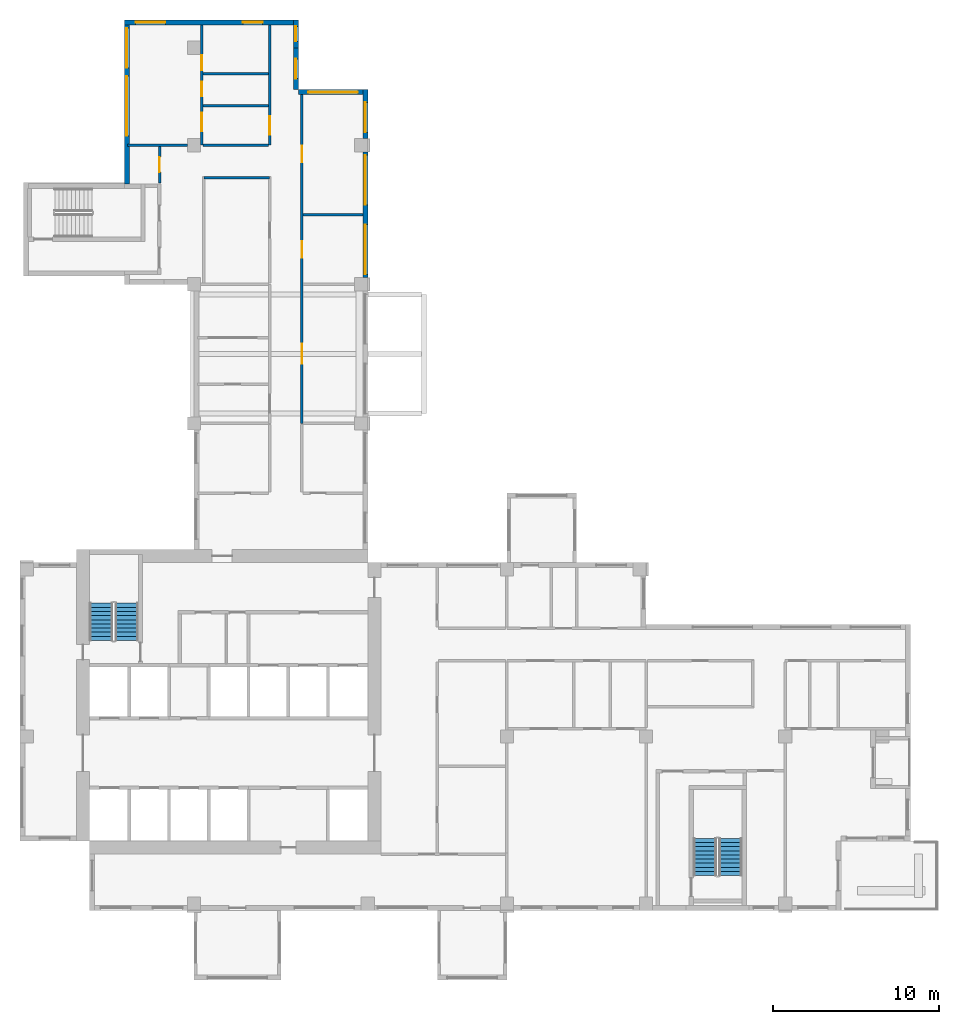
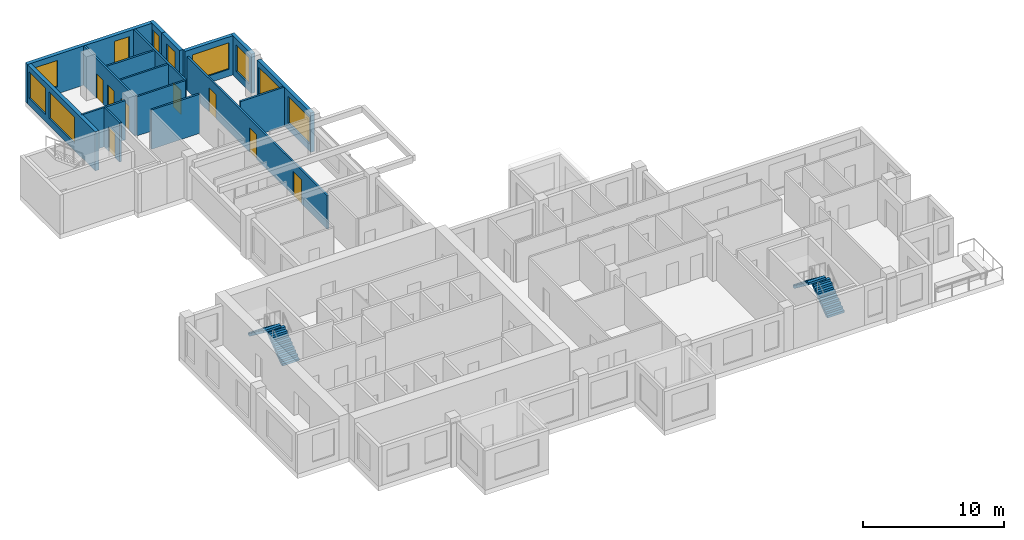
# One storey, part 7 of 12: 17 walls, 10 windows, 8 doors, 4 stair flights, 18 openings, 2 elements without a shape of their own.
"""IFC4 building model written with IfcOpenShell, lengths in metres."""

import ifcopenshell
import ifcopenshell.guid

model = None  # the IFC model being written
_history = None  # IfcOwnerHistory: only IFC2X3 demands one
_inside = {}  # id of a spatial element -> (the spatial element, [elements in it])
_under = {}  # id of a project, library or spatial element -> (it, [spatial elements below it])
_declared = {}  # id of a project -> (the project, [libraries it declares])
_typed = {}  # id of a type object -> (the type object, [elements of that type])
_made_of = {}  # id of a material, layer set ... -> (it, [elements and type objects made of it])


def new_model(schema):
    """Start an empty IFC model of exactly this schema.

    Asked for "IFC4X3", IfcOpenShell would pick the latest addendum, in which some entities
    have other attributes; the version numbers below select the first issue.
    IFC2X3 requires an IfcOwnerHistory on every rooted entity: one is made here for all.
    """
    global model, _history
    if schema == "IFC4X3":
        model = ifcopenshell.file(schema_version=(4, 3, 0, 0))
    else:
        model = ifcopenshell.file(schema=schema)
    _inside.clear()
    _under.clear()
    _declared.clear()
    _typed.clear()
    _made_of.clear()
    _history = None
    if model.schema == "IFC2X3":
        org = make("IfcOrganization", Name="unknown")
        user = make(
            "IfcPersonAndOrganization",
            ThePerson=make("IfcPerson", FamilyName="unknown"),
            TheOrganization=org,
        )
        app = make(
            "IfcApplication",
            ApplicationDeveloper=org,
            Version="unknown",
            ApplicationFullName="unknown",
            ApplicationIdentifier="unknown",
        )
        _history = make(
            "IfcOwnerHistory",
            OwningUser=user,
            OwningApplication=app,
            ChangeAction="ADDED",
            CreationDate=0,
        )
    return model


def make(cls, **values):
    """One entity of the class cls with the attributes given. An attribute that is None is left unset."""
    return model.create_entity(
        cls, **{name: value for name, value in values.items() if value is not None}
    )


def rooted(cls, **values):
    """An entity with a GlobalId (a new one), such as an element, a storey or a relation."""
    return make(cls, GlobalId=ifcopenshell.guid.new(), OwnerHistory=_history, **values)


def si_unit(unit_type, name, prefix=None):
    """IfcSIUnit, for example si_unit("LENGTHUNIT", "METRE", prefix="MILLI")."""
    return make("IfcSIUnit", UnitType=unit_type, Prefix=prefix, Name=name)


def assignment(units):
    """IfcUnitAssignment: the units of a project."""
    return None if units is None else make("IfcUnitAssignment", Units=units)


def point(xyz):
    """IfcCartesianPoint."""
    return None if xyz is None else make("IfcCartesianPoint", Coordinates=xyz)


def direction(xyz):
    """IfcDirection."""
    return None if xyz is None else make("IfcDirection", DirectionRatios=xyz)


def frame(location, z_axis=None, x_axis=None):
    """IfcAxis2Placement3D, a coordinate frame: its origin and axes. An axis left out is left unset."""
    return make(
        "IfcAxis2Placement3D",
        Location=point(location),
        Axis=direction(z_axis),
        RefDirection=direction(x_axis),
    )


def frame_2d(location, x_axis=None):
    """IfcAxis2Placement2D, a coordinate frame in the plane: its origin and x axis."""
    return make(
        "IfcAxis2Placement2D", Location=point(location), RefDirection=direction(x_axis)
    )


def origin():
    """The frame at (0, 0, 0) with its axes left unset."""
    return frame((0.0, 0.0, 0.0))


def place(relative_to, where):
    """IfcLocalPlacement: puts the frame where relative to a parent placement (None: the world)."""
    return make(
        "IfcLocalPlacement", PlacementRelTo=relative_to, RelativePlacement=where
    )


def context(
    kind, dimensions, precision=None, world=None, true_north=None, identifier=None
):
    """IfcGeometricRepresentationContext, for example the 3D "Model" context."""
    return make(
        "IfcGeometricRepresentationContext",
        ContextIdentifier=identifier,
        ContextType=kind,
        CoordinateSpaceDimension=dimensions,
        Precision=precision,
        WorldCoordinateSystem=world,
        TrueNorth=true_north,
    )


def subcontext(parent, identifier, kind, view, scale=None):
    """IfcGeometricRepresentationSubContext, for example "Body" below "Model"."""
    return make(
        "IfcGeometricRepresentationSubContext",
        ContextIdentifier=identifier,
        ContextType=kind,
        ParentContext=parent,
        TargetScale=scale,
        TargetView=view,
    )


def project(units=None, contexts=None):
    """IfcProject with its units and contexts."""
    return rooted(
        "IfcProject",
        Name="project",
        RepresentationContexts=contexts,
        UnitsInContext=assignment(units),
    )


def spatial(cls, under=None, at=None, **own):
    """A site, building, storey or space (cls), placed at a placement, below another one or the project."""
    s = rooted(cls, ObjectPlacement=at, **own)
    if under is not None:
        _under.setdefault(under.id(), (under, []))[1].append(s)
    return s


def polyline(points):
    """IfcPolyline through the points."""
    return make("IfcPolyline", Points=[point(p) for p in points])


def profile(cls, at=None, kind="AREA", **sizes):
    """A parametric profile (cls). Its sizes go by their IFC names, for example OverallWidth=200.0."""
    return make(cls, ProfileType=kind, Position=at, **sizes)


def rectangle(**sizes):
    """IfcRectangleProfileDef."""
    return profile("IfcRectangleProfileDef", **sizes)


def outline(outer, holes=None, kind="AREA"):
    """IfcArbitraryClosedProfileDef: a profile drawn as a closed curve; with holes, ...WithVoids."""
    if holes is None:
        return make("IfcArbitraryClosedProfileDef", ProfileType=kind, OuterCurve=outer)
    return make(
        "IfcArbitraryProfileDefWithVoids",
        ProfileType=kind,
        OuterCurve=outer,
        InnerCurves=holes,
    )


def extrude(swept, where, along, depth):
    """IfcExtrudedAreaSolid: the profile swept, set in the frame where, extruded along a direction by depth."""
    return make(
        "IfcExtrudedAreaSolid",
        SweptArea=swept,
        Position=where,
        ExtrudedDirection=direction(along),
        Depth=depth,
    )


def shape(context_of_items, identifier, shape_type, items):
    """IfcShapeRepresentation: the items that make up one representation, for example the "Body"."""
    return make(
        "IfcShapeRepresentation",
        ContextOfItems=context_of_items,
        RepresentationIdentifier=identifier,
        RepresentationType=shape_type,
        Items=items,
    )


def source(mapping_origin, context_of_items, identifier, shape_type, items):
    """IfcRepresentationMap: a shape defined once, which mapped items show again and again."""
    return make(
        "IfcRepresentationMap",
        MappingOrigin=mapping_origin,
        MappedRepresentation=shape(context_of_items, identifier, shape_type, items),
    )


def transform(
    local_origin,
    x_axis=None,
    y_axis=None,
    z_axis=None,
    scale=None,
    scale2=None,
    scale3=None,
    uniform=True,
):
    """IfcCartesianTransformationOperator3D, or its non-uniform kind. x_axis, y_axis, z_axis: its Axis1, 2, 3."""
    if uniform:
        return make(
            "IfcCartesianTransformationOperator3D",
            Axis1=direction(x_axis),
            Axis2=direction(y_axis),
            LocalOrigin=point(local_origin),
            Scale=scale,
            Axis3=direction(z_axis),
        )
    return make(
        "IfcCartesianTransformationOperator3DnonUniform",
        Axis1=direction(x_axis),
        Axis2=direction(y_axis),
        LocalOrigin=point(local_origin),
        Scale=scale,
        Axis3=direction(z_axis),
        Scale2=scale2,
        Scale3=scale3,
    )


def mapped(mapping_source, mapping_target):
    """IfcMappedItem: shows the shape of a source again, moved by a transform."""
    return make(
        "IfcMappedItem", MappingSource=mapping_source, MappingTarget=mapping_target
    )


def material(Name=None, Category=None):
    """IfcMaterial."""
    return make("IfcMaterial", Name=Name, Category=Category)


def layer(
    of_material, thickness, ventilated=None, Name=None, Category=None, Priority=None
):
    """IfcMaterialLayer: one layer of a wall or slab, of a material (None: an air gap)."""
    return make(
        "IfcMaterialLayer",
        Material=of_material,
        LayerThickness=thickness,
        IsVentilated=ventilated,
        Name=Name,
        Category=Category,
        Priority=Priority,
    )


def layer_set(layers, Name=None):
    """IfcMaterialLayerSet."""
    return make("IfcMaterialLayerSet", MaterialLayers=layers, LayerSetName=Name)


def made_of(thing, what):
    """Note that an element or type object is made of a material, layer set ...; save() writes the relation."""
    if what is not None:
        _made_of.setdefault(what.id(), (what, []))[1].append(thing)
    return thing


def type_object(cls, material=None, **own):
    """A type object (cls), such as IfcWallType, which elements share."""
    return made_of(rooted(cls, **own), material)


def element(
    cls,
    number,
    at=None,
    inside=None,
    cuts=None,
    type_object=None,
    material=None,
    context=None,
    identifier="Body",
    shape_type=None,
    held_by="IfcProductDefinitionShape",
    body=None,
    shapes=None,
    **own,
):
    """One element of the class cls, such as IfcWall. Its Tag is "e" and its number.

    at: its placement. inside: the storey or other place that contains it. cuts: it is an
    opening in that element (IfcRelVoidsElement). A single representation is given by context,
    identifier, shape_type and body (its items); several are given by shapes. held_by: the class
    of the entity that holds the representations. save() writes the other relations.
    """
    e = rooted(cls, Tag="e%d" % number, ObjectPlacement=at, **own)
    if body is not None:
        shapes = [shape(context, identifier, shape_type, body)]
    if shapes is not None:
        e.Representation = make(held_by, Representations=shapes)
    if inside is not None:
        _inside.setdefault(inside.id(), (inside, []))[1].append(e)
    if cuts is not None:
        rooted(
            "IfcRelVoidsElement", RelatingBuildingElement=cuts, RelatedOpeningElement=e
        )
    if type_object is not None:
        _typed.setdefault(type_object.id(), (type_object, []))[1].append(e)
    return made_of(e, material)


def fill(opening, filler):
    """IfcRelFillsElement: the door or window that sits in an opening."""
    return rooted(
        "IfcRelFillsElement",
        RelatingOpeningElement=opening,
        RelatedBuildingElement=filler,
    )


def aggregate(whole, parts):
    """IfcRelAggregates: a whole, such as a stair, and the parts it consists of."""
    return rooted("IfcRelAggregates", RelatingObject=whole, RelatedObjects=parts)


def save(model, path):
    """Write the relations noted so far, then the file.

    IfcRelAggregates (storeys below a building ...), IfcRelContainedInSpatialStructure (elements
    in a storey), IfcRelDefinesByType, IfcRelAssociatesMaterial and IfcRelDeclares: one each for
    every whole, place, type object, material and project.
    """
    for whole, parts in _under.values():
        aggregate(whole, parts)
    for where, things in _inside.values():
        rooted(
            "IfcRelContainedInSpatialStructure",
            RelatedElements=things,
            RelatingStructure=where,
        )
    for kind, things in _typed.values():
        rooted("IfcRelDefinesByType", RelatedObjects=things, RelatingType=kind)
    for what, things in _made_of.values():
        rooted("IfcRelAssociatesMaterial", RelatedObjects=things, RelatingMaterial=what)
    for by, libraries in _declared.values():
        rooted("IfcRelDeclares", RelatingContext=by, RelatedDefinitions=libraries)
    model.write(path)


model = new_model("IFC4")

# Units and contexts
model_context = context("Model", 3, precision=1e-05, world=origin(), true_north=direction((0.0, 1.0)))
body_context = subcontext(model_context, "Body", "Model", "MODEL_VIEW")
ifc_project = project(units=[si_unit("LENGTHUNIT", "METRE"), si_unit("AREAUNIT", "SQUARE_METRE"), si_unit("VOLUMEUNIT", "CUBIC_METRE"), si_unit("PLANEANGLEUNIT", "RADIAN"), si_unit("MASSUNIT", "GRAM", prefix="KILO")], contexts=[model_context])

# Site, building, storey
site_placement = place(None, origin())
site = spatial("IfcSite", under=ifc_project, at=site_placement, CompositionType="ELEMENT")
building_placement = place(site_placement, origin())
building = spatial("IfcBuilding", under=site, at=building_placement, Name="Aurelian Terraces", CompositionType="ELEMENT")
storey_placement = place(building_placement, frame((0.0, 0.0, 234.8)))
storey = spatial("IfcBuildingStorey", under=building, at=storey_placement, Name="L53", CompositionType="ELEMENT", Elevation=234.8)

# Wall, opening, window
ifc_material_1 = material(Name="Terracotta rainscreen cladding", Category="masonry")
ifc_layer_1 = layer(ifc_material_1, 0.3)
ifc_layer_set_1 = layer_set([ifc_layer_1], Name="EW-300")
wall_type_1 = type_object("IfcWallType", Name="EW-300", PredefinedType="STANDARD", material=ifc_layer_set_1)
shared_shape_1 = source(origin(), body_context, "Body", "SweptSolid", [
    extrude(rectangle(XDim=4.2, YDim=0.3, at=frame_2d((2.1, 0.0))), origin(), (0.0, 0.0, 1.0), 3.4),
])
wall_1_placement = place(storey_placement, frame((21.0, 49.41, 0.0), z_axis=(0.0, 0.0, 1.0), x_axis=(-1.0, 0.0, 0.0)))
wall_1 = element("IfcWall", 1, at=wall_1_placement, inside=storey, type_object=wall_type_1, Name="External wall L53 F09.21", PredefinedType="STANDARD", context=body_context, shape_type="MappedRepresentation", body=[
    mapped(shared_shape_1, transform((0.0, 0.0, 0.0), scale=1.0)),
])
shared_shape_2 = source(origin(), body_context, "Body", "SweptSolid", [
    extrude(rectangle(XDim=3.0, YDim=2.3, at=frame_2d((1.5, 1.15))), frame((0.0, 0.16, 0.0), z_axis=(0.0, -1.0, 0.0), x_axis=(1.0, 0.0, 0.0)), (0.0, 0.0, 1.0), 0.32),
])
opening_1_placement = place(wall_1_placement, frame((0.6, 0.0, 0.6)))
opening_1 = element("IfcOpeningElement", 2, at=opening_1_placement, cuts=wall_1, Name="Opening W3023", PredefinedType="OPENING", context=body_context, shape_type="MappedRepresentation", body=[
    mapped(shared_shape_2, transform((0.0, 0.0, 0.0), scale=1.0)),
])
ifc_material_2 = material(Name="Clear glazing", Category="glass")
window_type_1 = type_object("IfcWindowType", Name="W-3000x2300", PartitioningType="SINGLE_PANEL", PredefinedType="WINDOW", material=ifc_material_2)
shared_shape_3 = source(origin(), body_context, "Body", "SweptSolid", [
    extrude(rectangle(XDim=3.0, YDim=2.3, at=frame_2d((1.5, 1.15))), frame((0.0, 0.03, 0.0), z_axis=(0.0, -1.0, 0.0), x_axis=(1.0, 0.0, 0.0)), (0.0, 0.0, 1.0), 0.06),
])
window_1_placement = place(opening_1_placement, origin())
window_1 = element("IfcWindow", 3, at=window_1_placement, inside=storey, type_object=window_type_1, Name="Window L53 L53-F09-21-0", OverallHeight=2.3, OverallWidth=3.0, PartitioningType="SINGLE_PANEL", PredefinedType="WINDOW", context=body_context, shape_type="MappedRepresentation", body=[
    mapped(shared_shape_3, transform((0.0, 0.0, 0.0), scale=1.0)),
])
fill(opening_1, window_1)

shared_shape_4 = source(origin(), body_context, "Body", "SweptSolid", [
    extrude(rectangle(XDim=2.52, YDim=0.3, at=frame_2d((1.26, 0.0))), origin(), (0.0, 0.0, 1.0), 3.4),
])
wall_2_placement = place(storey_placement, frame((16.65, 49.56, 0.0), z_axis=(0.0, 0.0, 1.0), x_axis=(0.0, 1.0, 0.0)))
wall_2 = element("IfcWall", 4, at=wall_2_placement, inside=storey, type_object=wall_type_1, Name="External wall L53 F10.22", PredefinedType="STANDARD", context=body_context, shape_type="MappedRepresentation", body=[
    mapped(shared_shape_4, transform((0.0, 0.0, 0.0), scale=1.0)),
])
shared_shape_5 = source(origin(), body_context, "Body", "SweptSolid", [
    extrude(rectangle(XDim=1.2, YDim=2.3, at=frame_2d((0.6, 1.15))), frame((0.0, 0.16, 0.0), z_axis=(0.0, -1.0, 0.0), x_axis=(1.0, 0.0, 0.0)), (0.0, 0.0, 1.0), 0.32),
])
opening_2_placement = place(wall_2_placement, frame((0.66, 0.0, 0.6)))
opening_2 = element("IfcOpeningElement", 5, at=opening_2_placement, cuts=wall_2, Name="Opening W1223", PredefinedType="OPENING", context=body_context, shape_type="MappedRepresentation", body=[
    mapped(shared_shape_5, transform((0.0, 0.0, 0.0), scale=1.0)),
])
window_type_2 = type_object("IfcWindowType", Name="W-1200x2300", PartitioningType="SINGLE_PANEL", PredefinedType="WINDOW", material=ifc_material_2)
shared_shape_6 = source(origin(), body_context, "Body", "SweptSolid", [
    extrude(rectangle(XDim=1.2, YDim=2.3, at=frame_2d((0.6, 1.15))), frame((0.0, 0.03, 0.0), z_axis=(0.0, -1.0, 0.0), x_axis=(1.0, 0.0, 0.0)), (0.0, 0.0, 1.0), 0.06),
])
window_2_placement = place(opening_2_placement, origin())
window_2 = element("IfcWindow", 6, at=window_2_placement, inside=storey, type_object=window_type_2, Name="Window L53 L53-F10-22-0", OverallHeight=2.3, OverallWidth=1.2, PartitioningType="SINGLE_PANEL", PredefinedType="WINDOW", context=body_context, shape_type="MappedRepresentation", body=[
    mapped(shared_shape_6, transform((0.0, 0.0, 0.0), scale=1.0)),
])
fill(opening_2, window_2)

shared_shape_7 = source(origin(), body_context, "Body", "SweptSolid", [
    extrude(rectangle(XDim=1.68, YDim=0.3, at=frame_2d((0.84, 0.0))), origin(), (0.0, 0.0, 1.0), 3.4),
])
wall_3_placement = place(storey_placement, frame((16.65, 52.08, 0.0), z_axis=(0.0, 0.0, 1.0), x_axis=(0.0, 1.0, 0.0)))
wall_3 = element("IfcWall", 7, at=wall_3_placement, inside=storey, type_object=wall_type_1, Name="External wall L53 F10.23", PredefinedType="STANDARD", context=body_context, shape_type="MappedRepresentation", body=[
    mapped(shared_shape_7, transform((0.0, 0.0, 0.0), scale=1.0)),
])
shared_shape_8 = source(origin(), body_context, "Body", "SweptSolid", [
    extrude(rectangle(XDim=0.9, YDim=2.3, at=frame_2d((0.45, 1.15))), frame((0.0, 0.16, 0.0), z_axis=(0.0, -1.0, 0.0), x_axis=(1.0, 0.0, 0.0)), (0.0, 0.0, 1.0), 0.32),
])
opening_3_placement = place(wall_3_placement, frame((0.39, 0.0, 0.6)))
opening_3 = element("IfcOpeningElement", 8, at=opening_3_placement, cuts=wall_3, Name="Opening W0923", PredefinedType="OPENING", context=body_context, shape_type="MappedRepresentation", body=[
    mapped(shared_shape_8, transform((0.0, 0.0, 0.0), scale=1.0)),
])
window_type_3 = type_object("IfcWindowType", Name="W-900x2300", PartitioningType="SINGLE_PANEL", PredefinedType="WINDOW", material=ifc_material_2)
shared_shape_9 = source(origin(), body_context, "Body", "SweptSolid", [
    extrude(rectangle(XDim=0.9, YDim=2.3, at=frame_2d((0.45, 1.15))), frame((0.0, 0.03, 0.0), z_axis=(0.0, -1.0, 0.0), x_axis=(1.0, 0.0, 0.0)), (0.0, 0.0, 1.0), 0.06),
])
window_3_placement = place(opening_3_placement, origin())
window_3 = element("IfcWindow", 9, at=window_3_placement, inside=storey, type_object=window_type_3, Name="Window L53 L53-F10-23-P0", OverallHeight=2.3, OverallWidth=0.9, PartitioningType="SINGLE_PANEL", PredefinedType="WINDOW", context=body_context, shape_type="MappedRepresentation", body=[
    mapped(shared_shape_9, transform((0.0, 0.0, 0.0), scale=1.0)),
])
fill(opening_3, window_3)

# Wall, openings, windows
shared_shape_10 = source(origin(), body_context, "Body", "SweptSolid", [
    extrude(rectangle(XDim=10.5, YDim=0.3, at=frame_2d((5.25, 0.0))), origin(), (0.0, 0.0, 1.0), 3.4),
])
wall_4_placement = place(storey_placement, frame((16.8, 53.61, 0.0), z_axis=(0.0, 0.0, 1.0), x_axis=(-1.0, 0.0, 0.0)))
wall_4 = element("IfcWall", 10, at=wall_4_placement, inside=storey, type_object=wall_type_1, Name="External wall L53 F11.24", PredefinedType="STANDARD", context=body_context, shape_type="MappedRepresentation", body=[
    mapped(shared_shape_10, transform((0.0, 0.0, 0.0), scale=1.0)),
])
opening_4_placement = place(wall_4_placement, frame((2.15, 0.0, 0.6)))
opening_4 = element("IfcOpeningElement", 11, at=opening_4_placement, cuts=wall_4, Name="Opening W1223", PredefinedType="OPENING", context=body_context, shape_type="MappedRepresentation", body=[
    mapped(shared_shape_5, transform((0.0, 0.0, 0.0), scale=1.0)),
])
shared_shape_11 = source(origin(), body_context, "Body", "SweptSolid", [
    extrude(rectangle(XDim=1.8, YDim=2.3, at=frame_2d((0.9, 1.15))), frame((0.0, 0.16, 0.0), z_axis=(0.0, -1.0, 0.0), x_axis=(1.0, 0.0, 0.0)), (0.0, 0.0, 1.0), 0.32),
])
opening_5_placement = place(wall_4_placement, frame((8.025, 0.0, 0.6)))
opening_5 = element("IfcOpeningElement", 12, at=opening_5_placement, cuts=wall_4, Name="Opening W1823", PredefinedType="OPENING", context=body_context, shape_type="MappedRepresentation", body=[
    mapped(shared_shape_11, transform((0.0, 0.0, 0.0), scale=1.0)),
])
window_4_placement = place(opening_4_placement, origin())
window_4 = element("IfcWindow", 13, at=window_4_placement, inside=storey, type_object=window_type_2, Name="Window L53 L53-F11-24-0", OverallHeight=2.3, OverallWidth=1.2, PartitioningType="SINGLE_PANEL", PredefinedType="WINDOW", context=body_context, shape_type="MappedRepresentation", body=[
    mapped(shared_shape_6, transform((0.0, 0.0, 0.0), scale=1.0)),
])
fill(opening_4, window_4)
window_type_4 = type_object("IfcWindowType", Name="W-1800x2300", PartitioningType="SINGLE_PANEL", PredefinedType="WINDOW", material=ifc_material_2)
shared_shape_12 = source(origin(), body_context, "Body", "SweptSolid", [
    extrude(rectangle(XDim=1.8, YDim=2.3, at=frame_2d((0.9, 1.15))), frame((0.0, 0.03, 0.0), z_axis=(0.0, -1.0, 0.0), x_axis=(1.0, 0.0, 0.0)), (0.0, 0.0, 1.0), 0.06),
])
window_5_placement = place(opening_5_placement, origin())
window_5 = element("IfcWindow", 14, at=window_5_placement, inside=storey, type_object=window_type_4, Name="Window L53 L53-F11-24-2", OverallHeight=2.3, OverallWidth=1.8, PartitioningType="SINGLE_PANEL", PredefinedType="WINDOW", context=body_context, shape_type="MappedRepresentation", body=[
    mapped(shared_shape_12, transform((0.0, 0.0, 0.0), scale=1.0)),
])
fill(opening_5, window_5)

shared_shape_13 = source(origin(), body_context, "Body", "SweptSolid", [
    extrude(rectangle(XDim=9.91, YDim=0.3, at=frame_2d((4.955, 0.0))), origin(), (0.0, 0.0, 1.0), 3.4),
])
wall_5_placement = place(storey_placement, frame((6.45, 53.76, 0.0), z_axis=(0.0, 0.0, 1.0), x_axis=(0.0, -1.0, 0.0)))
wall_5 = element("IfcWall", 15, at=wall_5_placement, inside=storey, type_object=wall_type_1, Name="External wall L53 F12.25", PredefinedType="STANDARD", context=body_context, shape_type="MappedRepresentation", body=[
    mapped(shared_shape_13, transform((0.0, 0.0, 0.0), scale=1.0)),
])
shared_shape_14 = source(origin(), body_context, "Body", "SweptSolid", [
    extrude(rectangle(XDim=3.6, YDim=2.3, at=frame_2d((1.8, 1.15))), frame((0.0, 0.16, 0.0), z_axis=(0.0, -1.0, 0.0), x_axis=(1.0, 0.0, 0.0)), (0.0, 0.0, 1.0), 0.32),
])
opening_6_placement = place(wall_5_placement, frame((3.39, 0.0, 0.6)))
opening_6 = element("IfcOpeningElement", 16, at=opening_6_placement, cuts=wall_5, Name="Opening W3623", PredefinedType="OPENING", context=body_context, shape_type="MappedRepresentation", body=[
    mapped(shared_shape_14, transform((0.0, 0.0, 0.0), scale=1.0)),
])
shared_shape_15 = source(origin(), body_context, "Body", "SweptSolid", [
    extrude(rectangle(XDim=2.4, YDim=2.3, at=frame_2d((1.2, 1.15))), frame((0.0, 0.16, 0.0), z_axis=(0.0, -1.0, 0.0), x_axis=(1.0, 0.0, 0.0)), (0.0, 0.0, 1.0), 0.32),
])
opening_7_placement = place(wall_5_placement, frame((0.495, 0.0, 0.6)))
opening_7 = element("IfcOpeningElement", 17, at=opening_7_placement, cuts=wall_5, Name="Opening W2423", PredefinedType="OPENING", context=body_context, shape_type="MappedRepresentation", body=[
    mapped(shared_shape_15, transform((0.0, 0.0, 0.0), scale=1.0)),
])
window_type_5 = type_object("IfcWindowType", Name="W-3600x2300", PartitioningType="SINGLE_PANEL", PredefinedType="WINDOW", material=ifc_material_2)
shared_shape_16 = source(origin(), body_context, "Body", "SweptSolid", [
    extrude(rectangle(XDim=3.6, YDim=2.3, at=frame_2d((1.8, 1.15))), frame((0.0, 0.03, 0.0), z_axis=(0.0, -1.0, 0.0), x_axis=(1.0, 0.0, 0.0)), (0.0, 0.0, 1.0), 0.06),
])
window_6_placement = place(opening_6_placement, origin())
window_6 = element("IfcWindow", 18, at=window_6_placement, inside=storey, type_object=window_type_5, Name="Window L53 L53-F12-25-1", OverallHeight=2.3, OverallWidth=3.6, PartitioningType="SINGLE_PANEL", PredefinedType="WINDOW", context=body_context, shape_type="MappedRepresentation", body=[
    mapped(shared_shape_16, transform((0.0, 0.0, 0.0), scale=1.0)),
])
fill(opening_6, window_6)
window_type_6 = type_object("IfcWindowType", Name="W-2400x2300", PartitioningType="SINGLE_PANEL", PredefinedType="WINDOW", material=ifc_material_2)
shared_shape_17 = source(origin(), body_context, "Body", "SweptSolid", [
    extrude(rectangle(XDim=2.4, YDim=2.3, at=frame_2d((1.2, 1.15))), frame((0.0, 0.03, 0.0), z_axis=(0.0, -1.0, 0.0), x_axis=(1.0, 0.0, 0.0)), (0.0, 0.0, 1.0), 0.06),
])
window_7_placement = place(opening_7_placement, origin())
window_7 = element("IfcWindow", 19, at=window_7_placement, inside=storey, type_object=window_type_6, Name="Window L53 L53-F12-25-G0-0", OverallHeight=2.3, OverallWidth=2.4, PartitioningType="SINGLE_PANEL", PredefinedType="WINDOW", context=body_context, shape_type="MappedRepresentation", body=[
    mapped(shared_shape_17, transform((0.0, 0.0, 0.0), scale=1.0)),
])
fill(opening_7, window_7)

shared_shape_18 = source(origin(), body_context, "Body", "SweptSolid", [
    extrude(rectangle(XDim=7.6, YDim=0.3, at=frame_2d((3.8, 0.0))), origin(), (0.0, 0.0, 1.0), 3.4),
])
wall_6_placement = place(storey_placement, frame((20.85, 38.2, 0.0), z_axis=(0.0, 0.0, 1.0), x_axis=(0.0, 1.0, 0.0)))
wall_6 = element("IfcWall", 20, at=wall_6_placement, inside=storey, type_object=wall_type_1, Name="External wall L53 F08.19", PredefinedType="STANDARD", context=body_context, shape_type="MappedRepresentation", body=[
    mapped(shared_shape_18, transform((0.0, 0.0, 0.0), scale=1.0)),
])
opening_8_placement = place(wall_6_placement, frame((0.2, 0.0, 0.6)))
opening_8 = element("IfcOpeningElement", 21, at=opening_8_placement, cuts=wall_6, Name="Opening W3023", PredefinedType="OPENING", context=body_context, shape_type="MappedRepresentation", body=[
    mapped(shared_shape_2, transform((0.0, 0.0, 0.0), scale=1.0)),
])
opening_9_placement = place(wall_6_placement, frame((4.4, 0.0, 0.6)))
opening_9 = element("IfcOpeningElement", 22, at=opening_9_placement, cuts=wall_6, Name="Opening W3023", PredefinedType="OPENING", context=body_context, shape_type="MappedRepresentation", body=[
    mapped(shared_shape_2, transform((0.0, 0.0, 0.0), scale=1.0)),
])
window_8_placement = place(opening_8_placement, origin())
window_8 = element("IfcWindow", 23, at=window_8_placement, inside=storey, type_object=window_type_1, Name="Window L53 L53-F08-19-0", OverallHeight=2.3, OverallWidth=3.0, PartitioningType="SINGLE_PANEL", PredefinedType="WINDOW", context=body_context, shape_type="MappedRepresentation", body=[
    mapped(shared_shape_3, transform((0.0, 0.0, 0.0), scale=1.0)),
])
fill(opening_8, window_8)
window_9_placement = place(opening_9_placement, origin())
window_9 = element("IfcWindow", 24, at=window_9_placement, inside=storey, type_object=window_type_1, Name="Window L53 L53-F08-19-1", OverallHeight=2.3, OverallWidth=3.0, PartitioningType="SINGLE_PANEL", PredefinedType="WINDOW", context=body_context, shape_type="MappedRepresentation", body=[
    mapped(shared_shape_3, transform((0.0, 0.0, 0.0), scale=1.0)),
])
fill(opening_9, window_9)

# Wall, opening, window
shared_shape_19 = source(origin(), body_context, "Body", "SweptSolid", [
    extrude(rectangle(XDim=2.96, YDim=0.3, at=frame_2d((1.48, 0.0))), origin(), (0.0, 0.0, 1.0), 3.4),
])
wall_7_placement = place(storey_placement, frame((20.85, 46.6, 0.0), z_axis=(0.0, 0.0, 1.0), x_axis=(0.0, 1.0, 0.0)))
wall_7 = element("IfcWall", 25, at=wall_7_placement, inside=storey, type_object=wall_type_1, Name="External wall L53 F08.20", PredefinedType="STANDARD", context=body_context, shape_type="MappedRepresentation", body=[
    mapped(shared_shape_19, transform((0.0, 0.0, 0.0), scale=1.0)),
])
opening_10_placement = place(wall_7_placement, frame((0.38, 0.0, 0.6)))
opening_10 = element("IfcOpeningElement", 26, at=opening_10_placement, cuts=wall_7, Name="Opening W1823", PredefinedType="OPENING", context=body_context, shape_type="MappedRepresentation", body=[
    mapped(shared_shape_11, transform((0.0, 0.0, 0.0), scale=1.0)),
])
window_10_placement = place(opening_10_placement, origin())
window_10 = element("IfcWindow", 27, at=window_10_placement, inside=storey, type_object=window_type_4, Name="Window L53 L53-F08-20-0", OverallHeight=2.3, OverallWidth=1.8, PartitioningType="SINGLE_PANEL", PredefinedType="WINDOW", context=body_context, shape_type="MappedRepresentation", body=[
    mapped(shared_shape_12, transform((0.0, 0.0, 0.0), scale=1.0)),
])
fill(opening_10, window_10)

# Wall
ifc_material_3 = material(Name="Gypsum board on steel studs", Category="steel")
ifc_layer_2 = layer(ifc_material_3, 0.15)
ifc_layer_set_2 = layer_set([ifc_layer_2], Name="Fire partition 150")
wall_type_2 = type_object("IfcWallType", Name="Fire partition 150", PredefinedType="PARTITIONING", material=ifc_layer_set_2)
shared_shape_20 = source(origin(), body_context, "Body", "SweptSolid", [
    extrude(rectangle(XDim=3.6, YDim=0.15, at=frame_2d((1.8, 0.0))), origin(), (0.0, 0.0, 1.0), 3.4),
])
wall_8_placement = place(storey_placement, frame((20.7, 42.0, 0.0), z_axis=(0.0, 0.0, 1.0), x_axis=(-1.0, 0.0, 0.0)))
element("IfcWall", 28, at=wall_8_placement, inside=storey, type_object=wall_type_2, Name="Party wall", PredefinedType="PARTITIONING", context=body_context, shape_type="MappedRepresentation", body=[
    mapped(shared_shape_20, transform((0.0, 0.0, 0.0), scale=1.0)),
])

# Wall, opening, door
ifc_layer_3 = layer(ifc_material_3, 0.15)
ifc_layer_set_3 = layer_set([ifc_layer_3], Name="Partition 150")
wall_type_3 = type_object("IfcWallType", Name="Partition 150", PredefinedType="PARTITIONING", material=ifc_layer_set_3)
shared_shape_21 = source(origin(), body_context, "Body", "SweptSolid", [
    extrude(rectangle(XDim=2.2, YDim=0.15, at=frame_2d((1.1, 0.0))), origin(), (0.0, 0.0, 1.0), 3.4),
])
wall_9_placement = place(storey_placement, frame((8.425, 43.925, 0.0), z_axis=(0.0, 0.0, 1.0), x_axis=(0.0, 1.0, 0.0)))
wall_9 = element("IfcWall", 29, at=wall_9_placement, inside=storey, type_object=wall_type_3, Name="Partition", PredefinedType="PARTITIONING", context=body_context, shape_type="MappedRepresentation", body=[
    mapped(shared_shape_21, transform((0.0, 0.0, 0.0), scale=1.0)),
])
shared_shape_22 = source(origin(), body_context, "Body", "SweptSolid", [
    extrude(rectangle(XDim=0.9, YDim=2.1, at=frame_2d((0.45, 1.05))), frame((0.0, 0.085, 0.0), z_axis=(0.0, -1.0, 0.0), x_axis=(1.0, 0.0, 0.0)), (0.0, 0.0, 1.0), 0.17),
])
opening_11_placement = place(wall_9_placement, frame((0.65, 0.0, 0.0)))
opening_11 = element("IfcOpeningElement", 30, at=opening_11_placement, cuts=wall_9, Name="Opening 753021", PredefinedType="OPENING", context=body_context, shape_type="MappedRepresentation", body=[
    mapped(shared_shape_22, transform((0.0, 0.0, 0.0), scale=1.0)),
])
ifc_material_4 = material(Name="Timber door leaf", Category="wood")
door_type_1 = type_object("IfcDoorType", Name="Room door 900x2100 right", OperationType="SINGLE_SWING_RIGHT", PredefinedType="DOOR", material=ifc_material_4)
shared_shape_23 = source(origin(), body_context, "Body", "SweptSolid", [
    extrude(rectangle(XDim=0.9, YDim=2.1, at=frame_2d((0.45, 1.05))), frame((0.0, 0.025, 0.0), z_axis=(0.0, -1.0, 0.0), x_axis=(1.0, 0.0, 0.0)), (0.0, 0.0, 1.0), 0.05),
])
door_1_placement = place(opening_11_placement, origin())
door_1 = element("IfcDoor", 31, at=door_1_placement, inside=storey, type_object=door_type_1, Name="Door 753021", OperationType="SINGLE_SWING_RIGHT", OverallHeight=2.1, OverallWidth=0.9, PredefinedType="DOOR", context=body_context, shape_type="MappedRepresentation", body=[
    mapped(shared_shape_23, transform((0.0, 0.0, 0.0), scale=1.0)),
])
fill(opening_11, door_1)

# Wall, openings, doors
shared_shape_24 = source(origin(), body_context, "Body", "SweptSolid", [
    extrude(rectangle(XDim=7.26, YDim=0.15, at=frame_2d((3.63, 0.0))), origin(), (0.0, 0.0, 1.0), 3.4),
])
wall_10_placement = place(storey_placement, frame((10.975, 46.2, 0.0), z_axis=(0.0, 0.0, 1.0), x_axis=(0.0, 1.0, 0.0)))
wall_10 = element("IfcWall", 32, at=wall_10_placement, inside=storey, type_object=wall_type_3, Name="Partition", PredefinedType="PARTITIONING", context=body_context, shape_type="MappedRepresentation", body=[
    mapped(shared_shape_24, transform((0.0, 0.0, 0.0), scale=1.0)),
])
shared_shape_25 = source(origin(), body_context, "Body", "SweptSolid", [
    extrude(rectangle(XDim=1.1, YDim=2.1, at=frame_2d((0.55, 1.05))), frame((0.0, 0.085, 0.0), z_axis=(0.0, -1.0, 0.0), x_axis=(1.0, 0.0, 0.0)), (0.0, 0.0, 1.0), 0.17),
])
opening_12_placement = place(wall_10_placement, frame((0.8474, 0.0, 0.0)))
opening_12 = element("IfcOpeningElement", 33, at=opening_12_placement, cuts=wall_10, Name="Opening 753024", PredefinedType="OPENING", context=body_context, shape_type="MappedRepresentation", body=[
    mapped(shared_shape_25, transform((0.0, 0.0, 0.0), scale=1.0)),
])
opening_13_placement = place(wall_10_placement, frame((2.9464, 0.0, 0.0)))
opening_13 = element("IfcOpeningElement", 34, at=opening_13_placement, cuts=wall_10, Name="Opening 753025", PredefinedType="OPENING", context=body_context, shape_type="MappedRepresentation", body=[
    mapped(shared_shape_22, transform((0.0, 0.0, 0.0), scale=1.0)),
])
opening_14_placement = place(wall_10_placement, frame((4.529, 0.0, 0.0)))
opening_14 = element("IfcOpeningElement", 35, at=opening_14_placement, cuts=wall_10, Name="Opening 753026", PredefinedType="OPENING", context=body_context, shape_type="MappedRepresentation", body=[
    mapped(shared_shape_22, transform((0.0, 0.0, 0.0), scale=1.0)),
])
door_type_2 = type_object("IfcDoorType", Name="Room door 900x2100 left", OperationType="SINGLE_SWING_LEFT", PredefinedType="DOOR", material=ifc_material_4)
door_2_placement = place(opening_13_placement, origin())
door_2 = element("IfcDoor", 36, at=door_2_placement, inside=storey, type_object=door_type_2, Name="Door 753025", OperationType="SINGLE_SWING_LEFT", OverallHeight=2.1, OverallWidth=0.9, PredefinedType="DOOR", context=body_context, shape_type="MappedRepresentation", body=[
    mapped(shared_shape_23, transform((0.0, 0.0, 0.0), scale=1.0)),
])
fill(opening_13, door_2)
door_3_placement = place(opening_14_placement, origin())
door_3 = element("IfcDoor", 37, at=door_3_placement, inside=storey, type_object=door_type_1, Name="Door 753026", OperationType="SINGLE_SWING_RIGHT", OverallHeight=2.1, OverallWidth=0.9, PredefinedType="DOOR", context=body_context, shape_type="MappedRepresentation", body=[
    mapped(shared_shape_23, transform((0.0, 0.0, 0.0), scale=1.0)),
])
fill(opening_14, door_3)
door_type_3 = type_object("IfcDoorType", Name="Room door 1100x2100 right", OperationType="SINGLE_SWING_RIGHT", PredefinedType="DOOR", material=ifc_material_4)
shared_shape_26 = source(origin(), body_context, "Body", "SweptSolid", [
    extrude(rectangle(XDim=1.1, YDim=2.1, at=frame_2d((0.55, 1.05))), frame((0.0, 0.025, 0.0), z_axis=(0.0, -1.0, 0.0), x_axis=(1.0, 0.0, 0.0)), (0.0, 0.0, 1.0), 0.05),
])
door_4_placement = place(opening_12_placement, origin())
door_4 = element("IfcDoor", 38, at=door_4_placement, inside=storey, type_object=door_type_3, Name="Door 753024", OperationType="SINGLE_SWING_RIGHT", OverallHeight=2.1, OverallWidth=1.1, PredefinedType="DOOR", context=body_context, shape_type="MappedRepresentation", body=[
    mapped(shared_shape_26, transform((0.0, 0.0, 0.0), scale=1.0)),
])
fill(opening_12, door_4)

# Wall, opening, door
wall_11_placement = place(storey_placement, frame((15.075, 46.2, 0.0), z_axis=(0.0, 0.0, 1.0), x_axis=(0.0, 1.0, 0.0)))
wall_11 = element("IfcWall", 39, at=wall_11_placement, inside=storey, type_object=wall_type_2, Name="Corridor wall", PredefinedType="PARTITIONING", context=body_context, shape_type="MappedRepresentation", body=[
    mapped(shared_shape_24, transform((0.0, 0.0, 0.0), scale=1.0)),
])
opening_15_placement = place(wall_11_placement, frame((0.6349, 0.0, 0.0)))
opening_15 = element("IfcOpeningElement", 40, at=opening_15_placement, cuts=wall_11, Name="Opening 753023", PredefinedType="OPENING", context=body_context, shape_type="MappedRepresentation", body=[
    mapped(shared_shape_25, transform((0.0, 0.0, 0.0), scale=1.0)),
])
ifc_material_5 = material(Name="Steel door leaf", Category="steel")
door_type_4 = type_object("IfcDoorType", Name="Entrance fire door 1100x2100 left", OperationType="SINGLE_SWING_LEFT", PredefinedType="DOOR", material=ifc_material_5)
door_5_placement = place(opening_15_placement, origin())
door_5 = element("IfcDoor", 41, at=door_5_placement, inside=storey, type_object=door_type_4, Name="Door 753023", OperationType="SINGLE_SWING_LEFT", OverallHeight=2.1, OverallWidth=1.1, PredefinedType="DOOR", context=body_context, shape_type="MappedRepresentation", body=[
    mapped(shared_shape_26, transform((0.0, 0.0, 0.0), scale=1.0)),
])
fill(opening_15, door_5)

# Wall
shared_shape_27 = source(origin(), body_context, "Body", "SweptSolid", [
    extrude(rectangle(XDim=3.975, YDim=0.15, at=frame_2d((1.9875, 0.0))), origin(), (0.0, 0.0, 1.0), 3.4),
])
wall_12_placement = place(storey_placement, frame((15.075, 44.25, 0.0), z_axis=(0.0, 0.0, 1.0), x_axis=(-1.0, 0.0, 0.0)))
element("IfcWall", 42, at=wall_12_placement, inside=storey, type_object=wall_type_3, Name="Partition", PredefinedType="PARTITIONING", context=body_context, shape_type="MappedRepresentation", body=[
    mapped(shared_shape_27, transform((0.0, 0.0, 0.0), scale=1.0)),
])

# Wall, openings, doors
shared_shape_28 = source(origin(), body_context, "Body", "SweptSolid", [
    extrude(rectangle(XDim=19.86, YDim=0.15, at=frame_2d((9.93, 0.0))), origin(), (0.0, 0.0, 1.0), 2.9),
])
wall_13_placement = place(storey_placement, frame((17.025, 49.26, 0.0), z_axis=(0.0, 0.0, 1.0), x_axis=(0.0, -1.0, 0.0)))
wall_13 = element("IfcWall", 43, at=wall_13_placement, inside=storey, type_object=wall_type_2, Name="Corridor wall", PredefinedType="PARTITIONING", context=body_context, shape_type="MappedRepresentation", body=[
    mapped(shared_shape_28, transform((0.0, 0.0, 0.0), scale=1.0)),
])
shared_shape_29 = source(origin(), body_context, "Body", "SweptSolid", [
    extrude(rectangle(XDim=1.2, YDim=2.1, at=frame_2d((0.6, 1.05))), frame((0.0, 0.085, 0.0), z_axis=(0.0, -1.0, 0.0), x_axis=(1.0, 0.0, 0.0)), (0.0, 0.0, 1.0), 0.17),
])
opening_16_placement = place(wall_13_placement, frame((15.06, 0.0, 0.0)))
opening_16 = element("IfcOpeningElement", 44, at=opening_16_placement, cuts=wall_13, Name="Opening 753027", PredefinedType="OPENING", context=body_context, shape_type="MappedRepresentation", body=[
    mapped(shared_shape_29, transform((0.0, 0.0, 0.0), scale=1.0)),
])
shared_shape_30 = source(origin(), body_context, "Body", "SweptSolid", [
    extrude(rectangle(XDim=1.0, YDim=2.1, at=frame_2d((0.5, 1.05))), frame((0.0, 0.085, 0.0), z_axis=(0.0, -1.0, 0.0), x_axis=(1.0, 0.0, 0.0)), (0.0, 0.0, 1.0), 0.17),
])
opening_17_placement = place(wall_13_placement, frame((8.86, 0.0, 0.0)))
opening_17 = element("IfcOpeningElement", 45, at=opening_17_placement, cuts=wall_13, Name="Opening 753028", PredefinedType="OPENING", context=body_context, shape_type="MappedRepresentation", body=[
    mapped(shared_shape_30, transform((0.0, 0.0, 0.0), scale=1.0)),
])
opening_18_placement = place(wall_13_placement, frame((3.0925, 0.0, 0.0)))
opening_18 = element("IfcOpeningElement", 46, at=opening_18_placement, cuts=wall_13, Name="Opening 753029", PredefinedType="OPENING", context=body_context, shape_type="MappedRepresentation", body=[
    mapped(shared_shape_30, transform((0.0, 0.0, 0.0), scale=1.0)),
])
door_type_5 = type_object("IfcDoorType", Name="Entrance fire door 1000x2100 left", OperationType="SINGLE_SWING_LEFT", PredefinedType="DOOR", material=ifc_material_5)
shared_shape_31 = source(origin(), body_context, "Body", "SweptSolid", [
    extrude(rectangle(XDim=1.0, YDim=2.1, at=frame_2d((0.5, 1.05))), frame((0.0, 0.025, 0.0), z_axis=(0.0, -1.0, 0.0), x_axis=(1.0, 0.0, 0.0)), (0.0, 0.0, 1.0), 0.05),
])
door_6_placement = place(opening_17_placement, origin())
door_6 = element("IfcDoor", 47, at=door_6_placement, inside=storey, type_object=door_type_5, Name="Door 753028", OperationType="SINGLE_SWING_LEFT", OverallHeight=2.1, OverallWidth=1.0, PredefinedType="DOOR", context=body_context, shape_type="MappedRepresentation", body=[
    mapped(shared_shape_31, transform((0.0, 0.0, 0.0), scale=1.0)),
])
fill(opening_17, door_6)
door_7_placement = place(opening_18_placement, origin())
door_7 = element("IfcDoor", 48, at=door_7_placement, inside=storey, type_object=door_type_5, Name="Door 753029", OperationType="SINGLE_SWING_LEFT", OverallHeight=2.1, OverallWidth=1.0, PredefinedType="DOOR", context=body_context, shape_type="MappedRepresentation", body=[
    mapped(shared_shape_31, transform((0.0, 0.0, 0.0), scale=1.0)),
])
fill(opening_18, door_7)
door_type_6 = type_object("IfcDoorType", Name="Entrance fire door 1200x2100 left", OperationType="SINGLE_SWING_LEFT", PredefinedType="DOOR", material=ifc_material_5)
shared_shape_32 = source(origin(), body_context, "Body", "SweptSolid", [
    extrude(rectangle(XDim=1.2, YDim=2.1, at=frame_2d((0.6, 1.05))), frame((0.0, 0.025, 0.0), z_axis=(0.0, -1.0, 0.0), x_axis=(1.0, 0.0, 0.0)), (0.0, 0.0, 1.0), 0.05),
])
door_8_placement = place(opening_16_placement, origin())
door_8 = element("IfcDoor", 49, at=door_8_placement, inside=storey, type_object=door_type_6, Name="Door 753027", OperationType="SINGLE_SWING_LEFT", OverallHeight=2.1, OverallWidth=1.2, PredefinedType="DOOR", context=body_context, shape_type="MappedRepresentation", body=[
    mapped(shared_shape_32, transform((0.0, 0.0, 0.0), scale=1.0)),
])
fill(opening_16, door_8)

# Walls
shared_shape_33 = source(origin(), body_context, "Body", "SweptSolid", [
    extrude(rectangle(XDim=3.95, YDim=0.15, at=frame_2d((1.975, 0.0))), origin(), (0.0, 0.0, 1.0), 3.4),
])
for number, where, z_axis, x_axis, name in (
    (50, (15.0, 48.5699, 0.0), (0.0, 0.0, 1.0), (-1.0, 0.0, 0.0), "Partition"),
    (51, (15.0, 50.5229, 0.0), (0.0, 0.0, 1.0), (-1.0, 0.0, 0.0), "Partition"),
):
    element("IfcWall", number, at=place(storey_placement, frame(where, z_axis=z_axis, x_axis=x_axis)), inside=storey, type_object=wall_type_3, Name=name, PredefinedType="PARTITIONING", context=body_context, shape_type="MappedRepresentation", body=[
        mapped(shared_shape_33, transform((0.0, 0.0, 0.0), scale=1.0)),
    ])
wall_14_placement = place(storey_placement, frame((15.0, 46.2, 0.0), z_axis=(0.0, 0.0, 1.0), x_axis=(-1.0, 0.0, 0.0)))
element("IfcWall", 52, at=wall_14_placement, inside=storey, type_object=wall_type_2, Name="Party wall", PredefinedType="PARTITIONING", context=body_context, shape_type="MappedRepresentation", body=[
    mapped(shared_shape_33, transform((0.0, 0.0, 0.0), scale=1.0)),
])
shared_shape_34 = source(origin(), body_context, "Body", "SweptSolid", [
    extrude(rectangle(XDim=3.596, YDim=0.15, at=frame_2d((1.798, 0.0))), origin(), (0.0, 0.0, 1.0), 3.4),
])
wall_15_placement = place(storey_placement, frame((10.101, 46.2, 0.0), z_axis=(0.0, 0.0, 1.0), x_axis=(-1.0, 0.0, 0.0)))
element("IfcWall", 53, at=wall_15_placement, inside=storey, type_object=wall_type_2, Name="Party wall", PredefinedType="PARTITIONING", context=body_context, shape_type="MappedRepresentation", body=[
    mapped(shared_shape_34, transform((0.0, 0.0, 0.0), scale=1.0)),
])

# Stair, stair flights
ifc_material_6 = material(Name="Concrete fc' 40 MPa", Category="concrete")
stair_type = type_object("IfcStairType", Name="Stair 1400", PredefinedType="HALF_TURN_STAIR", material=ifc_material_6)
stair_1_placement = place(storey_placement, origin())
stair_1 = element("IfcStair", 54, at=stair_1_placement, inside=storey, type_object=stair_type, Name="L53 S1", PredefinedType="HALF_TURN_STAIR")
stair_flight_type = type_object("IfcStairFlightType", Name="Stair flight 1400", PredefinedType="STRAIGHT", material=ifc_material_6)
shared_shape_35 = source(origin(), body_context, "Body", "SweptSolid", [
    extrude(outline(polyline([(0.0, 0.0), (0.0, 0.19), (0.25, 0.19), (0.25, 0.38), (0.5, 0.38), (0.5, 0.57), (0.75, 0.57), (0.75, 0.76), (1.0, 0.76), (1.0, 0.95), (1.25, 0.95), (1.25, 1.14), (1.5, 1.14), (1.5, 1.33), (1.75, 1.33), (1.75, 1.52), (2.0, 1.52), (2.0, 1.71), (2.25, 1.71), (2.25, 1.9), (2.25, 1.5216), (0.2479, 0.0), (0.0, 0.0)])), frame((0.0, 0.7, 0.0), z_axis=(0.0, -1.0, 0.0), x_axis=(1.0, 0.0, 0.0)), (0.0, 0.0, 1.0), 1.4),
])
stair_flight_1_placement = place(storey_placement, frame((6.45, 16.3, 2e-08), z_axis=(0.0, 0.0, 1.0), x_axis=(0.0, 1.0, 0.0)))
stair_flight_1 = element("IfcStairFlight", 55, at=stair_flight_1_placement, type_object=stair_flight_type, Name="S1 flight 1", NumberOfRisers=10, NumberOfTreads=9, PredefinedType="STRAIGHT", RiserHeight=0.19, TreadLength=0.25, context=body_context, shape_type="MappedRepresentation", body=[
    mapped(shared_shape_35, transform((0.0, 0.0, 0.0), scale=1.0)),
])
stair_flight_2_placement = place(storey_placement, frame((4.9, 18.55, 1.9000000199999774), z_axis=(0.0, 0.0, 1.0), x_axis=(0.0, -1.0, 0.0)))
stair_flight_2 = element("IfcStairFlight", 56, at=stair_flight_2_placement, type_object=stair_flight_type, Name="S1 flight 2", NumberOfRisers=10, NumberOfTreads=9, PredefinedType="STRAIGHT", RiserHeight=0.19, TreadLength=0.25, context=body_context, shape_type="MappedRepresentation", body=[
    mapped(shared_shape_35, transform((0.0, 0.0, 0.0), scale=1.0)),
])
aggregate(stair_1, [stair_flight_1, stair_flight_2])

stair_2_placement = place(storey_placement, origin())
stair_2 = element("IfcStair", 57, at=stair_2_placement, inside=storey, type_object=stair_type, Name="L53 S2", PredefinedType="HALF_TURN_STAIR")
stair_flight_3_placement = place(storey_placement, frame((42.9, 2.1, 2e-08), z_axis=(0.0, 0.0, 1.0), x_axis=(0.0, 1.0, 0.0)))
stair_flight_3 = element("IfcStairFlight", 58, at=stair_flight_3_placement, type_object=stair_flight_type, Name="S2 flight 1", NumberOfRisers=10, NumberOfTreads=9, PredefinedType="STRAIGHT", RiserHeight=0.19, TreadLength=0.25, context=body_context, shape_type="MappedRepresentation", body=[
    mapped(shared_shape_35, transform((0.0, 0.0, 0.0), scale=1.0)),
])
stair_flight_4_placement = place(storey_placement, frame((41.35, 4.35, 1.9000000199999774), z_axis=(0.0, 0.0, 1.0), x_axis=(0.0, -1.0, 0.0)))
stair_flight_4 = element("IfcStairFlight", 59, at=stair_flight_4_placement, type_object=stair_flight_type, Name="S2 flight 2", NumberOfRisers=10, NumberOfTreads=9, PredefinedType="STRAIGHT", RiserHeight=0.19, TreadLength=0.25, context=body_context, shape_type="MappedRepresentation", body=[
    mapped(shared_shape_35, transform((0.0, 0.0, 0.0), scale=1.0)),
])
aggregate(stair_2, [stair_flight_3, stair_flight_4])

save(model, "model.ifc")
